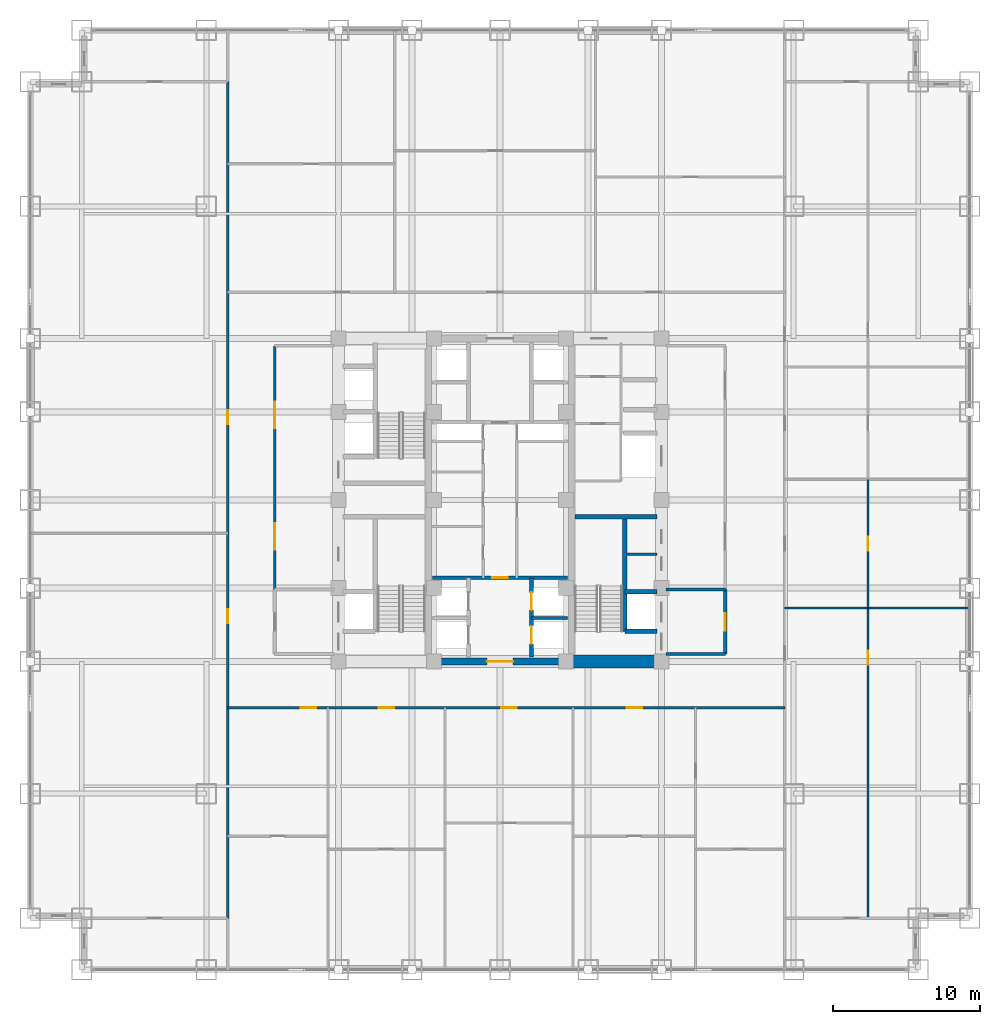
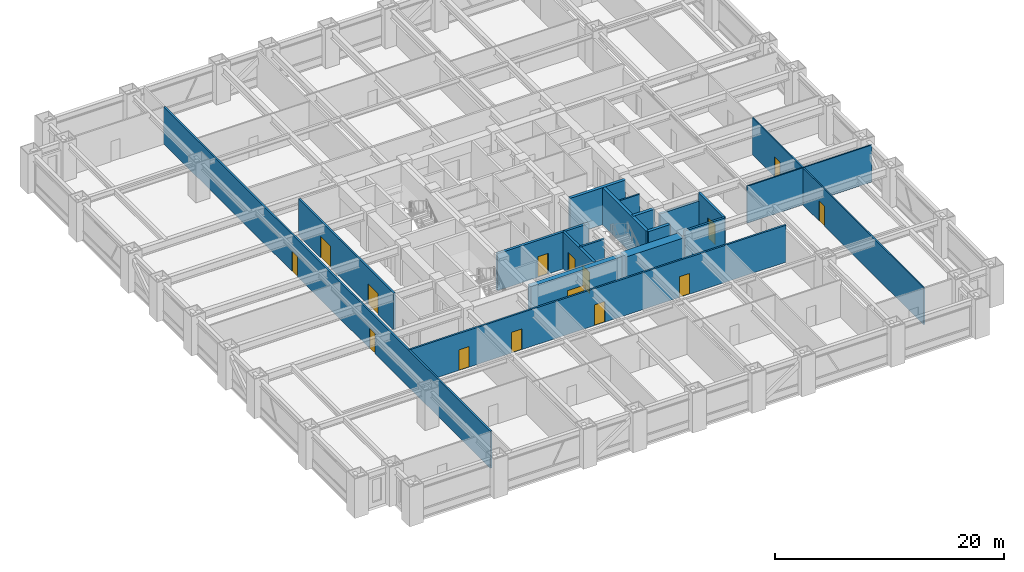
# One storey, part 24 of 28: 19 walls, 15 doors, 15 openings.
"""IFC4 building model written with IfcOpenShell, lengths in metres."""

from ifc_helpers import new_model, si_unit, direction, frame, frame_2d, origin, place, context, subcontext, project, spatial, rectangle, extrude, source, transform, mapped, material, layer, layer_set, type_object, element, fill, save


model = new_model("IFC4")

# Units and contexts
model_context = context("Model", 3, precision=1e-05, world=origin(), true_north=direction((0.0, 1.0)))
body_context = subcontext(model_context, "Body", "Model", "MODEL_VIEW")
ifc_project = project(units=[si_unit("LENGTHUNIT", "METRE"), si_unit("AREAUNIT", "SQUARE_METRE"), si_unit("VOLUMEUNIT", "CUBIC_METRE"), si_unit("PLANEANGLEUNIT", "RADIAN"), si_unit("MASSUNIT", "GRAM", prefix="KILO")], contexts=[model_context])

# Site, building, storey
site_placement = place(None, origin())
site = spatial("IfcSite", under=ifc_project, at=site_placement, CompositionType="ELEMENT")
building_placement = place(site_placement, origin())
building = spatial("IfcBuilding", under=site, at=building_placement, Name="Khorayat Bourse Tower", CompositionType="ELEMENT")
storey_placement = place(building_placement, frame((0.0, 0.0, 83.0)))
storey = spatial("IfcBuildingStorey", under=building, at=storey_placement, Name="L18", CompositionType="ELEMENT", Elevation=83.0)

# Walls
ifc_material_1 = material(Name="Concrete C72/90", Category="concrete")
ifc_layer_1 = layer(ifc_material_1, 0.89990234375)
ifc_layer_set_1 = layer_set([ifc_layer_1], Name="Concrete C72/90")
wall_type_1 = type_object("IfcWallType", Name="WAL-CORE-900", PredefinedType="SHEAR", material=ifc_layer_set_1)
shared_shape_1 = source(origin(), body_context, "Body", "SweptSolid", [
    extrude(rectangle(XDim=5.849853515625, YDim=0.89990234375, at=frame_2d((2.9248046875, 0.0))), origin(), (0.0, 0.0, 1.0), 3.93994140625),
])
wall_1_placement = place(storey_placement, frame((4.85009765625, -11.0, 0.0), z_axis=(0.0, 0.0, 1.0), x_axis=(1.0, 0.0, 0.0)))
element("IfcWall", 1, at=wall_1_placement, inside=storey, type_object=wall_type_1, Name="L18 Core Shear Wall PIER-ES", PredefinedType="SHEAR", context=body_context, shape_type="MappedRepresentation", body=[
    mapped(shared_shape_1, transform((0.0, 0.0, 0.0), scale=1.0)),
])
ifc_material_2 = material(Name="Concrete C50/60", Category="concrete")
ifc_layer_2 = layer(ifc_material_2, 0.300048828125)
ifc_layer_set_2 = layer_set([ifc_layer_2], Name="Concrete C50/60")
wall_type_2 = type_object("IfcWallType", Name="WAL-SHAFT-300", PredefinedType="SHEAR", material=ifc_layer_set_2)
shared_shape_2 = source(origin(), body_context, "Body", "SweptSolid", [
    extrude(rectangle(XDim=5.599853515625, YDim=0.300048828125, at=frame_2d((2.7998046875, 0.0))), origin(), (0.0, 0.0, 1.0), 3.93994140625),
])
wall_2_placement = place(storey_placement, frame((5.10009765625, -1.14990234375, 0.0), z_axis=(0.0, 0.0, 1.0), x_axis=(1.0, 0.0, 0.0)))
element("IfcWall", 2, at=wall_2_placement, inside=storey, type_object=wall_type_2, Name="L18 Core Shear Wall ST3-DIV", PredefinedType="SHEAR", context=body_context, shape_type="MappedRepresentation", body=[
    mapped(shared_shape_2, transform((0.0, 0.0, 0.0), scale=1.0)),
])

# Wall, opening, door
ifc_material_3 = material(Name="Concrete C52/65", Category="concrete")
ifc_layer_3 = layer(ifc_material_3, 0.5)
ifc_layer_set_3 = layer_set([ifc_layer_3], Name="Concrete C52/65")
wall_type_3 = type_object("IfcWallType", Name="WAL-CORE-500", PredefinedType="SHEAR", material=ifc_layer_set_3)
shared_shape_3 = source(origin(), body_context, "Body", "SweptSolid", [
    extrude(rectangle(XDim=9.2001953125, YDim=0.5, at=frame_2d((4.60009765625, 0.0))), origin(), (0.0, 0.0, 1.0), 3.93994140625),
])
wall_3_placement = place(storey_placement, frame((-4.60009765625, -11.0, 0.0), z_axis=(0.0, 0.0, 1.0), x_axis=(1.0, 0.0, 0.0)))
wall_3 = element("IfcWall", 3, at=wall_3_placement, inside=storey, type_object=wall_type_3, Name="L18 Core Shear Wall CORE-S", PredefinedType="SHEAR", context=body_context, shape_type="MappedRepresentation", body=[
    mapped(shared_shape_3, transform((0.0, 0.0, 0.0), scale=1.0)),
])
shared_shape_4 = source(origin(), body_context, "Body", "SweptSolid", [
    extrude(rectangle(XDim=1.800048828125, YDim=2.25, at=frame_2d((0.89990234375, 1.125))), frame((0.0, 0.260009765625, 0.0), z_axis=(0.0, -1.0, 0.0), x_axis=(1.0, 0.0, 0.0)), (0.0, 0.0, 1.0), 0.52001953125),
])
opening_1_placement = place(wall_3_placement, frame((3.699951171875, 0.0, 0.0)))
opening_1 = element("IfcOpeningElement", 4, at=opening_1_placement, cuts=wall_3, Name="Opening DI-03", PredefinedType="OPENING", context=body_context, shape_type="MappedRepresentation", body=[
    mapped(shared_shape_4, transform((0.0, 0.0, 0.0), scale=1.0)),
])
ifc_material_4 = material(Name="Fire-rated hardwood vision-panel double leaf", Category="wood")
door_type_1 = type_object("IfcDoorType", Name="DR-INT-CORR-1800", OperationType="NOTDEFINED", PredefinedType="DOOR", material=ifc_material_4)
shared_shape_5 = source(origin(), body_context, "Body", "SweptSolid", [
    extrude(rectangle(XDim=1.800048828125, YDim=2.25, at=frame_2d((0.89990234375, 1.125))), frame((0.0, 0.02490234375, 0.0), z_axis=(0.0, -1.0, 0.0), x_axis=(1.0, 0.0, 0.0)), (0.0, 0.0, 1.0), 0.050048828125),
])
door_1_placement = place(opening_1_placement, origin())
door_1 = element("IfcDoor", 5, at=door_1_placement, inside=storey, type_object=door_type_1, Name="L18 Low-Rise Lift Lobby Door", OperationType="SINGLE_SWING_LEFT", OverallHeight=2.25, OverallWidth=1.800048828125, PredefinedType="DOOR", context=body_context, shape_type="MappedRepresentation", body=[
    mapped(shared_shape_5, transform((0.0, 0.0, 0.0), scale=1.0)),
])
fill(opening_1, door_1)

# Walls
shared_shape_6 = source(origin(), body_context, "Body", "SweptSolid", [
    extrude(rectangle(XDim=7.800048828125, YDim=0.300048828125, at=frame_2d((3.89990234375, 0.0))), origin(), (0.0, 0.0, 1.0), 3.93994140625),
])
wall_4_placement = place(storey_placement, frame((8.5, -8.949951171875, 0.0), z_axis=(0.0, 0.0, 1.0), x_axis=(0.0, 1.0, 0.0)))
element("IfcWall", 6, at=wall_4_placement, inside=storey, type_object=wall_type_2, Name="L18 Partition WAL-L18-EPIER-SP", PredefinedType="SHEAR", context=body_context, shape_type="MappedRepresentation", body=[
    mapped(shared_shape_6, transform((0.0, 0.0, 0.0), scale=1.0)),
])
shared_shape_7 = source(origin(), body_context, "Body", "SweptSolid", [
    extrude(rectangle(XDim=2.199951171875, YDim=0.300048828125, at=frame_2d((1.10009765625, 0.0))), origin(), (0.0, 0.0, 1.0), 3.93994140625),
])
for number, where, z_axis, x_axis, name in (
    (7, (8.5, -8.949951171875, 0.0), (0.0, 0.0, 1.0), (1.0, 0.0, 0.0), "L18 Partition WAL-L18-EPIER-FF2S"),
    (8, (8.5, -6.25, 0.0), (0.0, 0.0, 1.0), (1.0, 0.0, 0.0), "L18 Partition WAL-L18-EPIER-FF2N"),
):
    element("IfcWall", number, at=place(storey_placement, frame(where, z_axis=z_axis, x_axis=x_axis)), inside=storey, type_object=wall_type_2, Name=name, PredefinedType="SHEAR", context=body_context, shape_type="MappedRepresentation", body=[
        mapped(shared_shape_7, transform((0.0, 0.0, 0.0), scale=1.0)),
    ])
ifc_material_5 = material(Name="Gypsum plasterboard twin-frame partition")
ifc_layer_4 = layer(ifc_material_5, 0.14990234375)
ifc_layer_set_4 = layer_set([ifc_layer_4], Name="Gypsum plasterboard twin-frame partition")
wall_type_4 = type_object("IfcWallType", Name="WAL-PART-SUITE-150", PredefinedType="PARTITIONING", material=ifc_layer_set_4)
shared_shape_8 = source(origin(), body_context, "Body", "SweptSolid", [
    extrude(rectangle(XDim=2.050048828125, YDim=0.14990234375, at=frame_2d((1.02490234375, 0.0))), origin(), (0.0, 0.0, 1.0), 3.93994140625),
])
wall_5_placement = place(storey_placement, frame((8.64990234375, -3.699951171875, 0.0), z_axis=(0.0, 0.0, 1.0), x_axis=(1.0, 0.0, 0.0)))
element("IfcWall", 9, at=wall_5_placement, inside=storey, type_object=wall_type_4, Name="L18 Partition WAL-L18-ESRV-D1", PredefinedType="PARTITIONING", context=body_context, shape_type="MappedRepresentation", body=[
    mapped(shared_shape_8, transform((0.0, 0.0, 0.0), scale=1.0)),
])
ifc_material_6 = material(Name="Aerated concrete blockwork", Category="masonry")
ifc_layer_5 = layer(ifc_material_6, 0.219970703125)
ifc_layer_set_5 = layer_set([ifc_layer_5], Name="Aerated concrete blockwork")
wall_type_5 = type_object("IfcWallType", Name="WAL-PART-FF-220", PredefinedType="PARTITIONING", material=ifc_layer_set_5)
shared_shape_9 = source(origin(), body_context, "Body", "SweptSolid", [
    extrude(rectangle(XDim=4.050048828125, YDim=0.219970703125, at=frame_2d((2.02490234375, 0.0))), origin(), (0.0, 0.0, 1.0), 3.93994140625),
])
wall_6_placement = place(storey_placement, frame((11.300048828125, -10.5, 0.0), z_axis=(0.0, 0.0, 1.0), x_axis=(1.0, 0.0, 0.0)))
element("IfcWall", 10, at=wall_6_placement, inside=storey, type_object=wall_type_5, Name="L18 Partition WAL-L18-FFLE-S", PredefinedType="PARTITIONING", context=body_context, shape_type="MappedRepresentation", body=[
    mapped(shared_shape_9, transform((0.0, 0.0, 0.0), scale=1.0)),
])
shared_shape_10 = source(origin(), body_context, "Body", "SweptSolid", [
    extrude(rectangle(XDim=4.050048828125, YDim=0.219970703125, at=frame_2d((2.02490234375, 0.0))), origin(), (0.0, 0.0, 1.0), 3.0849609375),
])
wall_7_placement = place(storey_placement, frame((11.300048828125, -6.10009765625, 0.0), z_axis=(0.0, 0.0, 1.0), x_axis=(1.0, 0.0, 0.0)))
element("IfcWall", 11, at=wall_7_placement, inside=storey, type_object=wall_type_5, Name="L18 Partition WAL-L18-FFLE-N", PredefinedType="PARTITIONING", context=body_context, shape_type="MappedRepresentation", body=[
    mapped(shared_shape_10, transform((0.0, 0.0, 0.0), scale=1.0)),
])

# Wall, opening, door
shared_shape_11 = source(origin(), body_context, "Body", "SweptSolid", [
    extrude(rectangle(XDim=4.39990234375, YDim=0.219970703125, at=frame_2d((2.199951171875, 0.0))), origin(), (0.0, 0.0, 1.0), 3.93994140625),
])
wall_8_placement = place(storey_placement, frame((15.35009765625, -10.5, 0.0), z_axis=(0.0, 0.0, 1.0), x_axis=(0.0, 1.0, 0.0)))
wall_8 = element("IfcWall", 12, at=wall_8_placement, inside=storey, type_object=wall_type_5, Name="L18 Partition WAL-L18-FFLE-E", PredefinedType="PARTITIONING", context=body_context, shape_type="MappedRepresentation", body=[
    mapped(shared_shape_11, transform((0.0, 0.0, 0.0), scale=1.0)),
])
shared_shape_12 = source(origin(), body_context, "Body", "SweptSolid", [
    extrude(rectangle(XDim=1.199951171875, YDim=2.199951171875, at=frame_2d((0.60009765625, 1.10009765625))), frame((0.0, 0.119873046875, 0.0), z_axis=(0.0, -1.0, 0.0), x_axis=(1.0, 0.0, 0.0)), (0.0, 0.0, 1.0), 0.239990234375),
])
opening_2_placement = place(wall_8_placement, frame((1.60009765625, 0.0, 0.0)))
opening_2 = element("IfcOpeningElement", 13, at=opening_2_placement, cuts=wall_8, Name="Opening DI-02", PredefinedType="OPENING", context=body_context, shape_type="MappedRepresentation", body=[
    mapped(shared_shape_12, transform((0.0, 0.0, 0.0), scale=1.0)),
])
ifc_material_7 = material(Name="Fire-rated steel double-seal leaf", Category="steel")
door_type_2 = type_object("IfcDoorType", Name="DR-INT-FFLOBBY-1200", OperationType="NOTDEFINED", PredefinedType="DOOR", material=ifc_material_7)
shared_shape_13 = source(origin(), body_context, "Body", "SweptSolid", [
    extrude(rectangle(XDim=1.199951171875, YDim=2.199951171875, at=frame_2d((0.60009765625, 1.10009765625))), frame((0.0, 0.02490234375, 0.0), z_axis=(0.0, -1.0, 0.0), x_axis=(1.0, 0.0, 0.0)), (0.0, 0.0, 1.0), 0.050048828125),
])
door_2_placement = place(opening_2_placement, origin())
door_2 = element("IfcDoor", 14, at=door_2_placement, inside=storey, type_object=door_type_2, Name="L18 East Firefighting Lobby Door", OperationType="SINGLE_SWING_RIGHT", OverallHeight=2.199951171875, OverallWidth=1.199951171875, PredefinedType="DOOR", context=body_context, shape_type="MappedRepresentation", body=[
    mapped(shared_shape_13, transform((0.0, 0.0, 0.0), scale=1.0)),
])
fill(opening_2, door_2)

# Wall, openings, doors
ifc_material_8 = material(Name="Gypsum plasterboard acoustic stud wall")
ifc_layer_6 = layer(ifc_material_8, 0.179931640625)
ifc_layer_set_6 = layer_set([ifc_layer_6], Name="Gypsum plasterboard acoustic stud wall")
wall_type_6 = type_object("IfcWallType", Name="WAL-PART-CORR-180", PredefinedType="PARTITIONING", material=ifc_layer_set_6)
shared_shape_14 = source(origin(), body_context, "Body", "SweptSolid", [
    extrude(rectangle(XDim=16.60009765625, YDim=0.179931640625, at=frame_2d((8.300048828125, 0.0))), origin(), (0.0, 0.0, 1.0), 3.93994140625),
])
wall_9_placement = place(storey_placement, frame((-15.35009765625, -6.10009765625, 0.0), z_axis=(0.0, 0.0, 1.0), x_axis=(0.0, 1.0, 0.0)))
wall_9 = element("IfcWall", 15, at=wall_9_placement, inside=storey, type_object=wall_type_6, Name="L18 Partition WAL-L18-WLOB-W", PredefinedType="PARTITIONING", context=body_context, shape_type="MappedRepresentation", body=[
    mapped(shared_shape_14, transform((0.0, 0.0, 0.0), scale=1.0)),
])
shared_shape_15 = source(origin(), body_context, "Body", "SweptSolid", [
    extrude(rectangle(XDim=1.800048828125, YDim=2.25, at=frame_2d((0.89990234375, 1.125))), frame((0.0, 0.099853515625, 0.0), z_axis=(0.0, -1.0, 0.0), x_axis=(1.0, 0.0, 0.0)), (0.0, 0.0, 1.0), 0.199951171875),
])
opening_3_placement = place(wall_9_placement, frame((2.699951171875, 0.0, 0.0)))
opening_3 = element("IfcOpeningElement", 16, at=opening_3_placement, cuts=wall_9, Name="Opening DI-03", PredefinedType="OPENING", context=body_context, shape_type="MappedRepresentation", body=[
    mapped(shared_shape_15, transform((0.0, 0.0, 0.0), scale=1.0)),
])
opening_4_placement = place(wall_9_placement, frame((11.0, 0.0, 0.0)))
opening_4 = element("IfcOpeningElement", 17, at=opening_4_placement, cuts=wall_9, Name="Opening DI-03", PredefinedType="OPENING", context=body_context, shape_type="MappedRepresentation", body=[
    mapped(shared_shape_15, transform((0.0, 0.0, 0.0), scale=1.0)),
])
door_3_placement = place(opening_3_placement, origin())
door_3 = element("IfcDoor", 18, at=door_3_placement, inside=storey, type_object=door_type_1, Name="L18 West Core Lobby South Door", OperationType="SINGLE_SWING_LEFT", OverallHeight=2.25, OverallWidth=1.800048828125, PredefinedType="DOOR", context=body_context, shape_type="MappedRepresentation", body=[
    mapped(shared_shape_5, transform((0.0, 0.0, 0.0), scale=1.0)),
])
fill(opening_3, door_3)
door_4_placement = place(opening_4_placement, origin())
door_4 = element("IfcDoor", 19, at=door_4_placement, inside=storey, type_object=door_type_1, Name="L18 West Core Lobby North Door", OperationType="SINGLE_SWING_RIGHT", OverallHeight=2.25, OverallWidth=1.800048828125, PredefinedType="DOOR", context=body_context, shape_type="MappedRepresentation", body=[
    mapped(shared_shape_5, transform((0.0, 0.0, 0.0), scale=1.0)),
])
fill(opening_4, door_4)

shared_shape_16 = source(origin(), body_context, "Body", "SweptSolid", [
    extrude(rectangle(XDim=5.39990234375, YDim=0.25, at=frame_2d((2.699951171875, 0.0))), origin(), (0.0, 0.0, 1.0), 3.93994140625),
])
wall_10_placement = place(storey_placement, frame((2.14990234375, -10.699951171875, 0.0), z_axis=(0.0, 0.0, 1.0), x_axis=(0.0, 1.0, 0.0)))
wall_10 = element("IfcWall", 20, at=wall_10_placement, inside=storey, type_object=wall_type_2, Name="L18 Partition WAL-L18-B1-E", PredefinedType="SHEAR", context=body_context, shape_type="MappedRepresentation", body=[
    mapped(shared_shape_16, transform((0.0, 0.0, 0.0), scale=1.0)),
])
shared_shape_17 = source(origin(), body_context, "Body", "SweptSolid", [
    extrude(rectangle(XDim=1.199951171875, YDim=2.300048828125, at=frame_2d((0.60009765625, 1.14990234375))), frame((0.0, 0.135009765625, 0.0), z_axis=(0.0, -1.0, 0.0), x_axis=(1.0, 0.0, 0.0)), (0.0, 0.0, 1.0), 0.27001953125),
])
opening_5_placement = place(wall_10_placement, frame((0.89990234375, 0.0, 0.0)))
opening_5 = element("IfcOpeningElement", 21, at=opening_5_placement, cuts=wall_10, Name="Opening LD-01", PredefinedType="OPENING", context=body_context, shape_type="MappedRepresentation", body=[
    mapped(shared_shape_17, transform((0.0, 0.0, 0.0), scale=1.0)),
])
opening_6_placement = place(wall_10_placement, frame((3.199951171875, 0.0, 0.0)))
opening_6 = element("IfcOpeningElement", 22, at=opening_6_placement, cuts=wall_10, Name="Opening LD-01", PredefinedType="OPENING", context=body_context, shape_type="MappedRepresentation", body=[
    mapped(shared_shape_17, transform((0.0, 0.0, 0.0), scale=1.0)),
])
ifc_material_9 = material(Name="Brushed bronze stainless-steel sliding door", Category="steel")
door_type_3 = type_object("IfcDoorType", Name="DR-LIFT-PASS-1200", OperationType="NOTDEFINED", PredefinedType="DOOR", material=ifc_material_9)
shared_shape_18 = source(origin(), body_context, "Body", "SweptSolid", [
    extrude(rectangle(XDim=1.199951171875, YDim=2.300048828125, at=frame_2d((0.60009765625, 1.14990234375))), frame((0.0, 0.02490234375, 0.0), z_axis=(0.0, -1.0, 0.0), x_axis=(1.0, 0.0, 0.0)), (0.0, 0.0, 1.0), 0.050048828125),
])
door_5_placement = place(opening_5_placement, origin())
door_5 = element("IfcDoor", 23, at=door_5_placement, inside=storey, type_object=door_type_3, Name="L18 Lift PL-L2 Sliding Landing Door", OperationType="SLIDING_TO_LEFT", OverallHeight=2.300048828125, OverallWidth=1.199951171875, PredefinedType="DOOR", context=body_context, shape_type="MappedRepresentation", body=[
    mapped(shared_shape_18, transform((0.0, 0.0, 0.0), scale=1.0)),
])
fill(opening_5, door_5)
door_6_placement = place(opening_6_placement, origin())
door_6 = element("IfcDoor", 24, at=door_6_placement, inside=storey, type_object=door_type_3, Name="L18 Lift PL-L4 Sliding Landing Door", OperationType="SLIDING_TO_LEFT", OverallHeight=2.300048828125, OverallWidth=1.199951171875, PredefinedType="DOOR", context=body_context, shape_type="MappedRepresentation", body=[
    mapped(shared_shape_18, transform((0.0, 0.0, 0.0), scale=1.0)),
])
fill(opening_6, door_6)

# Wall
shared_shape_19 = source(origin(), body_context, "Body", "SweptSolid", [
    extrude(rectangle(XDim=2.4501953125, YDim=0.199951171875, at=frame_2d((1.22509765625, 0.0))), origin(), (0.0, 0.0, 1.0), 3.93994140625),
])
wall_11_placement = place(storey_placement, frame((2.14990234375, -8.050048828125, 0.0), z_axis=(0.0, 0.0, 1.0), x_axis=(1.0, 0.0, 0.0)))
element("IfcWall", 25, at=wall_11_placement, inside=storey, type_object=wall_type_2, Name="L18 Partition WAL-L18-B1-ME", PredefinedType="SHEAR", context=body_context, shape_type="MappedRepresentation", body=[
    mapped(shared_shape_19, transform((0.0, 0.0, 0.0), scale=1.0)),
])

# Wall, opening, door
shared_shape_20 = source(origin(), body_context, "Body", "SweptSolid", [
    extrude(rectangle(XDim=9.2001953125, YDim=0.25, at=frame_2d((4.60009765625, 0.0))), origin(), (0.0, 0.0, 1.0), 3.93994140625),
])
wall_12_placement = place(storey_placement, frame((-4.60009765625, -5.300048828125, 0.0), z_axis=(0.0, 0.0, 1.0), x_axis=(1.0, 0.0, 0.0)))
wall_12 = element("IfcWall", 26, at=wall_12_placement, inside=storey, type_object=wall_type_2, Name="L18 Partition WAL-L18-B1-N", PredefinedType="SHEAR", context=body_context, shape_type="MappedRepresentation", body=[
    mapped(shared_shape_20, transform((0.0, 0.0, 0.0), scale=1.0)),
])
shared_shape_21 = source(origin(), body_context, "Body", "SweptSolid", [
    extrude(rectangle(XDim=1.050048828125, YDim=2.199951171875, at=frame_2d((0.52490234375, 1.10009765625))), frame((0.0, 0.135009765625, 0.0), z_axis=(0.0, -1.0, 0.0), x_axis=(1.0, 0.0, 0.0)), (0.0, 0.0, 1.0), 0.27001953125),
])
opening_7_placement = place(wall_12_placement, frame((4.074951171875, 0.0, 0.0)))
opening_7 = element("IfcOpeningElement", 27, at=opening_7_placement, cuts=wall_12, Name="Opening DI-04", PredefinedType="OPENING", context=body_context, shape_type="MappedRepresentation", body=[
    mapped(shared_shape_21, transform((0.0, 0.0, 0.0), scale=1.0)),
])
ifc_material_10 = material(Name="Fire-rated oak veneer suite entrance door")
door_type_4 = type_object("IfcDoorType", Name="DR-INT-SUITE-1050", OperationType="NOTDEFINED", PredefinedType="DOOR", material=ifc_material_10)
shared_shape_22 = source(origin(), body_context, "Body", "SweptSolid", [
    extrude(rectangle(XDim=1.050048828125, YDim=2.199951171875, at=frame_2d((0.52490234375, 1.10009765625))), frame((0.0, 0.02490234375, 0.0), z_axis=(0.0, -1.0, 0.0), x_axis=(1.0, 0.0, 0.0)), (0.0, 0.0, 1.0), 0.050048828125),
])
door_7_placement = place(opening_7_placement, origin())
door_7 = element("IfcDoor", 28, at=door_7_placement, inside=storey, type_object=door_type_4, Name="L18 Core Spine South Door", OperationType="SINGLE_SWING_LEFT", OverallHeight=2.199951171875, OverallWidth=1.050048828125, PredefinedType="DOOR", context=body_context, shape_type="MappedRepresentation", body=[
    mapped(shared_shape_22, transform((0.0, 0.0, 0.0), scale=1.0)),
])
fill(opening_7, door_7)

# Wall, openings, doors
shared_shape_23 = source(origin(), body_context, "Body", "SweptSolid", [
    extrude(rectangle(XDim=57.0, YDim=0.179931640625, at=frame_2d((28.5, 0.0))), origin(), (0.0, 0.0, 1.0), 3.93994140625),
])
wall_13_placement = place(storey_placement, frame((-18.550048828125, -28.5, 0.0), z_axis=(0.0, 0.0, 1.0), x_axis=(0.0, 1.0, 0.0)))
wall_13 = element("IfcWall", 29, at=wall_13_placement, inside=storey, type_object=wall_type_6, Name="L18 Partition WAL-L18-WCORR", PredefinedType="PARTITIONING", context=body_context, shape_type="MappedRepresentation", body=[
    mapped(shared_shape_23, transform((0.0, 0.0, 0.0), scale=1.0)),
])
shared_shape_24 = source(origin(), body_context, "Body", "SweptSolid", [
    extrude(rectangle(XDim=0.949951171875, YDim=2.14990234375, at=frame_2d((0.47509765625, 1.074951171875))), frame((0.0, 0.099853515625, 0.0), z_axis=(0.0, -1.0, 0.0), x_axis=(1.0, 0.0, 0.0)), (0.0, 0.0, 1.0), 0.199951171875),
])
opening_8_placement = place(wall_13_placement, frame((20.117919921875, 0.0, 0.0)))
opening_8 = element("IfcOpeningElement", 30, at=opening_8_placement, cuts=wall_13, Name="Opening DI-05", PredefinedType="OPENING", context=body_context, shape_type="MappedRepresentation", body=[
    mapped(shared_shape_24, transform((0.0, 0.0, 0.0), scale=1.0)),
])
opening_9_placement = place(wall_13_placement, frame((33.66796875, 0.0, 0.0)))
opening_9 = element("IfcOpeningElement", 31, at=opening_9_placement, cuts=wall_13, Name="Opening DI-05", PredefinedType="OPENING", context=body_context, shape_type="MappedRepresentation", body=[
    mapped(shared_shape_24, transform((0.0, 0.0, 0.0), scale=1.0)),
])
ifc_material_11 = material(Name="Acoustic oak veneer office door")
door_type_5 = type_object("IfcDoorType", Name="DR-INT-OFFICE-950", OperationType="NOTDEFINED", PredefinedType="DOOR", material=ifc_material_11)
shared_shape_25 = source(origin(), body_context, "Body", "SweptSolid", [
    extrude(rectangle(XDim=0.949951171875, YDim=2.14990234375, at=frame_2d((0.47509765625, 1.074951171875))), frame((0.0, 0.02490234375, 0.0), z_axis=(0.0, -1.0, 0.0), x_axis=(1.0, 0.0, 0.0)), (0.0, 0.0, 1.0), 0.050048828125),
])
door_8_placement = place(opening_8_placement, origin())
door_8 = element("IfcDoor", 32, at=door_8_placement, inside=storey, type_object=door_type_5, Name="L18 Executive Wellness Fitness Gym W1 Door", OperationType="SINGLE_SWING_RIGHT", OverallHeight=2.14990234375, OverallWidth=0.949951171875, PredefinedType="DOOR", context=body_context, shape_type="MappedRepresentation", body=[
    mapped(shared_shape_25, transform((0.0, 0.0, 0.0), scale=1.0)),
])
fill(opening_8, door_8)
door_9_placement = place(opening_9_placement, origin())
door_9 = element("IfcDoor", 33, at=door_9_placement, inside=storey, type_object=door_type_5, Name="L18 Issuer Listing Showroom W2 Door", OperationType="SINGLE_SWING_LEFT", OverallHeight=2.14990234375, OverallWidth=0.949951171875, PredefinedType="DOOR", context=body_context, shape_type="MappedRepresentation", body=[
    mapped(shared_shape_25, transform((0.0, 0.0, 0.0), scale=1.0)),
])
fill(opening_9, door_9)

shared_shape_26 = source(origin(), body_context, "Body", "SweptSolid", [
    extrude(rectangle(XDim=37.949951171875, YDim=0.179931640625, at=frame_2d((18.97509765625, 0.0))), origin(), (0.0, 0.0, 1.0), 3.93994140625),
])
wall_14_placement = place(storey_placement, frame((-18.550048828125, -14.14990234375, 0.0), z_axis=(0.0, 0.0, 1.0), x_axis=(1.0, 0.0, 0.0)))
wall_14 = element("IfcWall", 34, at=wall_14_placement, inside=storey, type_object=wall_type_6, Name="L18 Partition WAL-L18-SCORR", PredefinedType="PARTITIONING", context=body_context, shape_type="MappedRepresentation", body=[
    mapped(shared_shape_26, transform((0.0, 0.0, 0.0), scale=1.0)),
])
shared_shape_27 = source(origin(), body_context, "Body", "SweptSolid", [
    extrude(rectangle(XDim=1.050048828125, YDim=2.199951171875, at=frame_2d((0.52490234375, 1.10009765625))), frame((0.0, 0.099853515625, 0.0), z_axis=(0.0, -1.0, 0.0), x_axis=(1.0, 0.0, 0.0)), (0.0, 0.0, 1.0), 0.199951171875),
])
opening_10_placement = place(wall_14_placement, frame((4.965576171875, 0.0, 0.0)))
opening_10 = element("IfcOpeningElement", 35, at=opening_10_placement, cuts=wall_14, Name="Opening DI-04", PredefinedType="OPENING", context=body_context, shape_type="MappedRepresentation", body=[
    mapped(shared_shape_27, transform((0.0, 0.0, 0.0), scale=1.0)),
])
opening_11_placement = place(wall_14_placement, frame((10.290771484375, 0.0, 0.0)))
opening_11 = element("IfcOpeningElement", 36, at=opening_11_placement, cuts=wall_14, Name="Opening DI-04", PredefinedType="OPENING", context=body_context, shape_type="MappedRepresentation", body=[
    mapped(shared_shape_27, transform((0.0, 0.0, 0.0), scale=1.0)),
])
opening_12_placement = place(wall_14_placement, frame((18.639892578125, 0.0, 0.0)))
opening_12 = element("IfcOpeningElement", 37, at=opening_12_placement, cuts=wall_14, Name="Opening DI-04", PredefinedType="OPENING", context=body_context, shape_type="MappedRepresentation", body=[
    mapped(shared_shape_27, transform((0.0, 0.0, 0.0), scale=1.0)),
])
opening_13_placement = place(wall_14_placement, frame((27.178466796875, 0.0, 0.0)))
opening_13 = element("IfcOpeningElement", 38, at=opening_13_placement, cuts=wall_14, Name="Opening DI-04", PredefinedType="OPENING", context=body_context, shape_type="MappedRepresentation", body=[
    mapped(shared_shape_27, transform((0.0, 0.0, 0.0), scale=1.0)),
])
door_10_placement = place(opening_10_placement, origin())
door_10 = element("IfcDoor", 39, at=door_10_placement, inside=storey, type_object=door_type_4, Name="L18 Members Exchange Lounge S1 Door", OperationType="SINGLE_SWING_RIGHT", OverallHeight=2.199951171875, OverallWidth=1.050048828125, PredefinedType="DOOR", context=body_context, shape_type="MappedRepresentation", body=[
    mapped(shared_shape_22, transform((0.0, 0.0, 0.0), scale=1.0)),
])
fill(opening_10, door_10)
door_11_placement = place(opening_11_placement, origin())
door_11 = element("IfcDoor", 40, at=door_11_placement, inside=storey, type_object=door_type_4, Name="L18 Members Club Room S2 Door", OperationType="SINGLE_SWING_LEFT", OverallHeight=2.199951171875, OverallWidth=1.050048828125, PredefinedType="DOOR", context=body_context, shape_type="MappedRepresentation", body=[
    mapped(shared_shape_22, transform((0.0, 0.0, 0.0), scale=1.0)),
])
fill(opening_11, door_11)
door_12_placement = place(opening_12_placement, origin())
door_12 = element("IfcDoor", 41, at=door_12_placement, inside=storey, type_object=door_type_4, Name="L18 Issuer Listing Showroom S3 Door", OperationType="SINGLE_SWING_RIGHT", OverallHeight=2.199951171875, OverallWidth=1.050048828125, PredefinedType="DOOR", context=body_context, shape_type="MappedRepresentation", body=[
    mapped(shared_shape_22, transform((0.0, 0.0, 0.0), scale=1.0)),
])
fill(opening_12, door_12)
door_13_placement = place(opening_13_placement, origin())
door_13 = element("IfcDoor", 42, at=door_13_placement, inside=storey, type_object=door_type_4, Name="L18 Catering Servery Kitchen S4 Door", OperationType="SINGLE_SWING_LEFT", OverallHeight=2.199951171875, OverallWidth=1.050048828125, PredefinedType="DOOR", context=body_context, shape_type="MappedRepresentation", body=[
    mapped(shared_shape_22, transform((0.0, 0.0, 0.0), scale=1.0)),
])
fill(opening_13, door_13)

# Wall
ifc_material_12 = material(Name="Gypsum plasterboard partition")
ifc_layer_7 = layer(ifc_material_12, 0.125)
ifc_layer_set_7 = layer_set([ifc_layer_7], Name="Gypsum plasterboard partition")
wall_type_7 = type_object("IfcWallType", Name="WAL-PART-ROOM-125", PredefinedType="PARTITIONING", material=ifc_layer_set_7)
shared_shape_28 = source(origin(), body_context, "Body", "SweptSolid", [
    extrude(rectangle(XDim=12.60009765625, YDim=0.125, at=frame_2d((6.300048828125, 0.0))), origin(), (0.0, 0.0, 1.0), 3.93994140625),
])
wall_15_placement = place(storey_placement, frame((19.39990234375, -7.35791015625, 0.0), z_axis=(0.0, 0.0, 1.0), x_axis=(1.0, 0.0, 0.0)))
element("IfcWall", 43, at=wall_15_placement, inside=storey, type_object=wall_type_7, Name="L18 Partition WAL-L18-EDV-1", PredefinedType="PARTITIONING", context=body_context, shape_type="MappedRepresentation", body=[
    mapped(shared_shape_28, transform((0.0, 0.0, 0.0), scale=1.0)),
])

# Wall, opening, door
shared_shape_29 = source(origin(), body_context, "Body", "SweptSolid", [
    extrude(rectangle(XDim=21.14208984375, YDim=0.125, at=frame_2d((10.571044921875, 0.0))), origin(), (0.0, 0.0, 1.0), 3.93994140625),
])
wall_16_placement = place(storey_placement, frame((25.070068359375, -28.5, 0.0), z_axis=(0.0, 0.0, 1.0), x_axis=(0.0, 1.0, 0.0)))
wall_16 = element("IfcWall", 44, at=wall_16_placement, inside=storey, type_object=wall_type_7, Name="L18 Partition WAL-L18-EDP-1", PredefinedType="PARTITIONING", context=body_context, shape_type="MappedRepresentation", body=[
    mapped(shared_shape_29, transform((0.0, 0.0, 0.0), scale=1.0)),
])
shared_shape_30 = source(origin(), body_context, "Body", "SweptSolid", [
    extrude(rectangle(XDim=0.949951171875, YDim=2.14990234375, at=frame_2d((0.47509765625, 1.074951171875))), frame((0.0, 0.072509765625, 0.0), z_axis=(0.0, -1.0, 0.0), x_axis=(1.0, 0.0, 0.0)), (0.0, 0.0, 1.0), 0.14501953125),
])
opening_14_placement = place(wall_16_placement, frame((17.27099609375, 0.0, 0.0)))
opening_14 = element("IfcOpeningElement", 45, at=opening_14_placement, cuts=wall_16, Name="Opening DI-05", PredefinedType="OPENING", context=body_context, shape_type="MappedRepresentation", body=[
    mapped(shared_shape_30, transform((0.0, 0.0, 0.0), scale=1.0)),
])
door_14_placement = place(opening_14_placement, origin())
door_14 = element("IfcDoor", 46, at=door_14_placement, inside=storey, type_object=door_type_5, Name="L18 Catering Servery Kitchen E1B Door", OperationType="SINGLE_SWING_RIGHT", OverallHeight=2.14990234375, OverallWidth=0.949951171875, PredefinedType="DOOR", context=body_context, shape_type="MappedRepresentation", body=[
    mapped(shared_shape_25, transform((0.0, 0.0, 0.0), scale=1.0)),
])
fill(opening_14, door_14)

shared_shape_31 = source(origin(), body_context, "Body", "SweptSolid", [
    extrude(rectangle(XDim=8.77294921875, YDim=0.125, at=frame_2d((4.386474609375, 0.0))), origin(), (0.0, 0.0, 1.0), 3.93994140625),
])
wall_17_placement = place(storey_placement, frame((25.070068359375, -7.35791015625, 0.0), z_axis=(0.0, 0.0, 1.0), x_axis=(0.0, 1.0, 0.0)))
wall_17 = element("IfcWall", 47, at=wall_17_placement, inside=storey, type_object=wall_type_7, Name="L18 Partition WAL-L18-EDP-2", PredefinedType="PARTITIONING", context=body_context, shape_type="MappedRepresentation", body=[
    mapped(shared_shape_31, transform((0.0, 0.0, 0.0), scale=1.0)),
])
opening_15_placement = place(wall_17_placement, frame((3.91162109375, 0.0, 0.0)))
opening_15 = element("IfcOpeningElement", 48, at=opening_15_placement, cuts=wall_17, Name="Opening DI-05", PredefinedType="OPENING", context=body_context, shape_type="MappedRepresentation", body=[
    mapped(shared_shape_30, transform((0.0, 0.0, 0.0), scale=1.0)),
])
door_15_placement = place(opening_15_placement, origin())
door_15 = element("IfcDoor", 49, at=door_15_placement, inside=storey, type_object=door_type_5, Name="L18 Market Reference Library E2B Door", OperationType="SINGLE_SWING_LEFT", OverallHeight=2.14990234375, OverallWidth=0.949951171875, PredefinedType="DOOR", context=body_context, shape_type="MappedRepresentation", body=[
    mapped(shared_shape_25, transform((0.0, 0.0, 0.0), scale=1.0)),
])
fill(opening_15, door_15)

save(model, "model.ifc")
